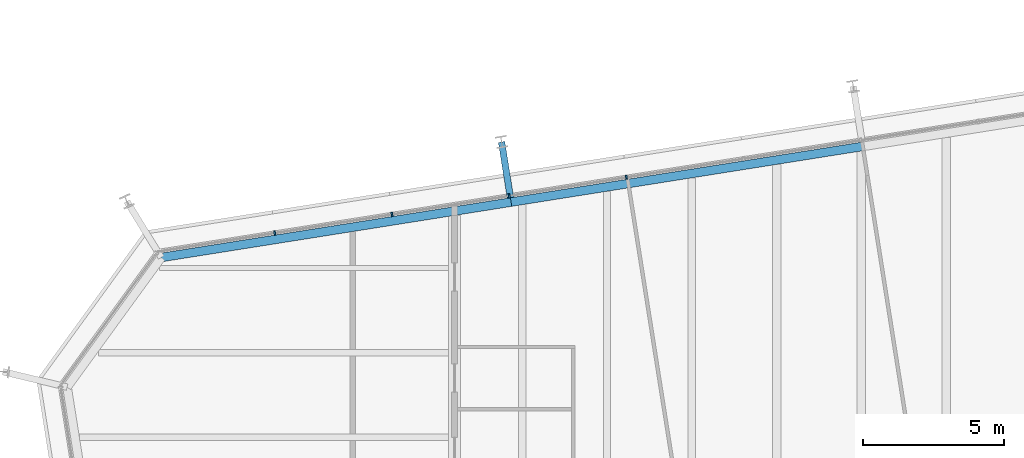
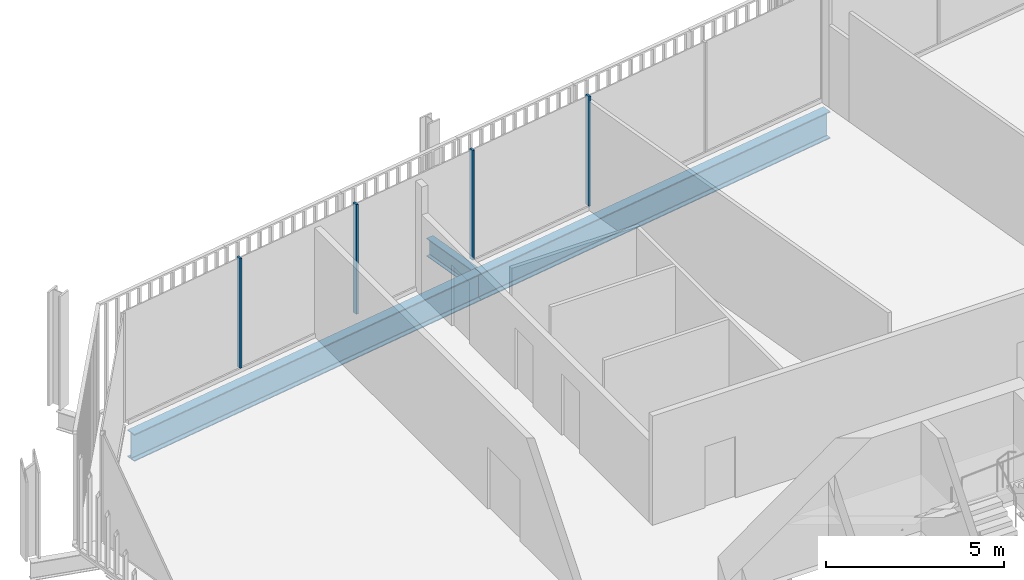
# One storey, part 12 of 20: 4 members, 3 beams, 1 element without a shape of its own.
"""IFC4 building model written with IfcOpenShell, lengths in metres."""

from ifc_helpers import new_model, si_unit, direction, frame, origin, origin_2d, place, context, subcontext, project, spatial, rectangle, i_section, extrude, material, layer, layer_set, material_profile, profile_set, type_object, element, aggregate, save


model = new_model("IFC4")

# Units and contexts
model_context = context("Model", 3, precision=1e-05, world=origin(), true_north=direction((0.0, 1.0)))
body_context = subcontext(model_context, "Body", "Model", "MODEL_VIEW")
ifc_project = project(units=[si_unit("LENGTHUNIT", "METRE"), si_unit("AREAUNIT", "SQUARE_METRE"), si_unit("VOLUMEUNIT", "CUBIC_METRE"), si_unit("PLANEANGLEUNIT", "RADIAN"), si_unit("MASSUNIT", "GRAM", prefix="KILO")], contexts=[model_context])

# Site, building, storey
site_placement = place(None, origin())
site = spatial("IfcSite", under=ifc_project, at=site_placement, CompositionType="ELEMENT")
building_placement = place(site_placement, origin())
building = spatial("IfcBuilding", under=site, at=building_placement, Name="Millrace Tower", CompositionType="ELEMENT")
storey_placement = place(building_placement, frame((0.0, 0.0, 216.39990234375)))
storey = spatial("IfcBuildingStorey", under=building, at=storey_placement, Name="L49", CompositionType="ELEMENT", Elevation=216.39990234375)

# Curtain wall, members
ifc_material_1 = material(Name="Aluminium and glass", Category="aluminium")
ifc_layer = layer(ifc_material_1, 0.14990234375)
ifc_layer_set = layer_set([ifc_layer], Name="Aluminium and glass")
curtain_wall_type = type_object("IfcCurtainWallType", Name="CW-1 office vision curtain wall", PredefinedType="NOTDEFINED", material=ifc_layer_set)
curtain_wall_placement = place(storey_placement, origin())
curtain_wall = element("IfcCurtainWall", 1, at=curtain_wall_placement, inside=storey, type_object=curtain_wall_type, Name="Curtain wall D-F06 L49", PredefinedType="NOTDEFINED")
ifc_material_2 = material(Name="Aluminium", Category="aluminium")
ifc_material_profile_1 = material_profile(ifc_material_2, rectangle(XDim=0.06494140625, YDim=0.14990234375, at=origin_2d()))
ifc_profile_set_1 = profile_set([ifc_material_profile_1], Name="Aluminium")
member_type = type_object("IfcMemberType", Name="CW-1 office vision curtain wall mullion", PredefinedType="MULLION", material=ifc_profile_set_1)
member_1_placement = place(storey_placement, frame((-8.31591796875, 27.207275390625, 0.14013671875), z_axis=(0.0, 0.0, 1.0), x_axis=(-0.987688339511, -0.156434471884, 0.0)))
member_1 = element("IfcMember", 2, at=member_1_placement, type_object=member_type, Name="CW1 mullion D-F06.6", PredefinedType="MULLION", context=body_context, shape_type="SweptSolid", body=[
    extrude(rectangle(XDim=0.06494140625, YDim=0.14990234375, at=origin_2d()), origin(), (0.0, 0.0, 1.0), 3.760009765625),
])
member_2_placement = place(storey_placement, frame((-12.46435546875, 26.55029296875, 0.14013671875), z_axis=(0.0, 0.0, 1.0), x_axis=(-0.987688339511, -0.156434471884, 0.0)))
member_2 = element("IfcMember", 3, at=member_2_placement, type_object=member_type, Name="CW1 mullion D-F06.7", PredefinedType="MULLION", context=body_context, shape_type="SweptSolid", body=[
    extrude(rectangle(XDim=0.06494140625, YDim=0.14990234375, at=origin_2d()), origin(), (0.0, 0.0, 1.0), 3.760009765625),
])
member_3_placement = place(storey_placement, frame((-16.612548828125, 25.893310546875, 0.14013671875), z_axis=(0.0, 0.0, 1.0), x_axis=(-0.987688339511, -0.156434471884, 0.0)))
member_3 = element("IfcMember", 4, at=member_3_placement, type_object=member_type, Name="CW1 mullion D-F06.8", PredefinedType="MULLION", context=body_context, shape_type="SweptSolid", body=[
    extrude(rectangle(XDim=0.06494140625, YDim=0.14990234375, at=origin_2d()), origin(), (0.0, 0.0, 1.0), 3.760009765625),
])
member_4_placement = place(storey_placement, frame((-20.7607421875, 25.236328125, 0.14013671875), z_axis=(0.0, 0.0, 1.0), x_axis=(-0.987688339511, -0.156434471884, 0.0)))
member_4 = element("IfcMember", 5, at=member_4_placement, type_object=member_type, Name="CW1 mullion D-F06.9", PredefinedType="MULLION", context=body_context, shape_type="SweptSolid", body=[
    extrude(rectangle(XDim=0.06494140625, YDim=0.14990234375, at=origin_2d()), origin(), (0.0, 0.0, 1.0), 3.760009765625),
])
aggregate(curtain_wall, [member_1, member_2, member_3, member_4])

# Beams
ifc_material_3 = material(Name="Steel ASTM A992 Grade 50", Category="steel")
ifc_material_profile_2 = material_profile(ifc_material_3, i_section(OverallWidth=0.23046875, OverallDepth=0.6171875, WebThickness=0.01318359375, FlangeThickness=0.022216796875, FilletRadius=0.012939453125, at=origin_2d()))
ifc_profile_set_2 = profile_set([ifc_material_profile_2], Name="Steel ASTM A992 Grade 50")
beam_type_1 = type_object("IfcBeamType", Name="Link beam W24x94", PredefinedType="BEAM", material=ifc_profile_set_2)
beam_1_placement = place(storey_placement, frame((-12.42041015625, 26.481201171875, -0.468505859375), z_axis=(-0.156476509441, 0.987681680499, 0.0), x_axis=(-0.987681680499, -0.156476509441, 0.0)))
element("IfcBeam", 6, at=beam_1_placement, inside=storey, type_object=beam_type_1, Name="LNK-D-L49-S1-06", PredefinedType="BEAM", context=body_context, shape_type="SweptSolid", body=[
    extrude(i_section(OverallWidth=0.23046875, OverallDepth=0.6171875, WebThickness=0.01318359375, FlangeThickness=0.022216796875, FilletRadius=0.012939453125, at=origin_2d()), origin(), (0.0, 0.0, 1.0), 2.000244140625),
])
ifc_material_4 = material(Name="Steel ASTM A992 Grade 50", Category="steel")
ifc_material_profile_3 = material_profile(ifc_material_4, i_section(OverallWidth=0.307373046875, OverallDepth=0.927001953125, WebThickness=0.01953125, FlangeThickness=0.031982421875, FilletRadius=0.01904296875, at=origin_2d()))
ifc_profile_set_3 = profile_set([ifc_material_profile_3], Name="Steel ASTM A992 Grade 50")
beam_type_2 = type_object("IfcBeamType", Name="Ring beam medium span W36x194", PredefinedType="SPANDREL", material=ifc_profile_set_3)
beam_2_placement = place(storey_placement, frame((-24.7783203125, 24.368408203125, -0.62353515625), z_axis=(0.987687213011, 0.156441584157, 0.0), x_axis=(-0.156441584157, 0.987687213011, 0.0)))
element("IfcBeam", 7, at=beam_2_placement, inside=storey, type_object=beam_type_2, Name="RNG-D-L49-S1-05", PredefinedType="SPANDREL", context=body_context, shape_type="SweptSolid", body=[
    extrude(i_section(OverallWidth=0.307373046875, OverallDepth=0.927001953125, WebThickness=0.01953125, FlangeThickness=0.031982421875, FilletRadius=0.01904296875, at=origin_2d()), origin(), (0.0, 0.0, 1.0), 12.5361328125),
])
beam_3_placement = place(storey_placement, frame((-12.396484375, 26.32958984375, -0.62353515625), z_axis=(0.987690277015, 0.156422238477, 0.0), x_axis=(-0.156422238477, 0.987690277015, 0.0)))
element("IfcBeam", 8, at=beam_3_placement, inside=storey, type_object=beam_type_2, Name="RNG-D-L49-S1-06", PredefinedType="SPANDREL", context=body_context, shape_type="SweptSolid", body=[
    extrude(i_section(OverallWidth=0.307373046875, OverallDepth=0.927001953125, WebThickness=0.01953125, FlangeThickness=0.031982421875, FilletRadius=0.01904296875, at=origin_2d()), origin(), (0.0, 0.0, 1.0), 12.60009765625),
])

save(model, "model.ifc")
